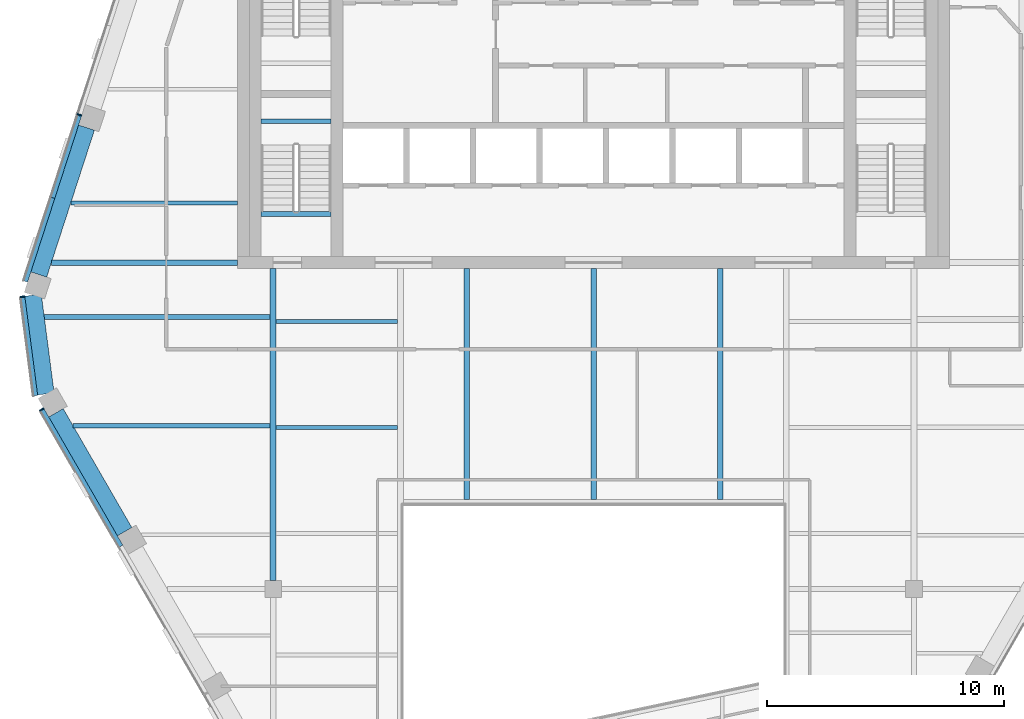
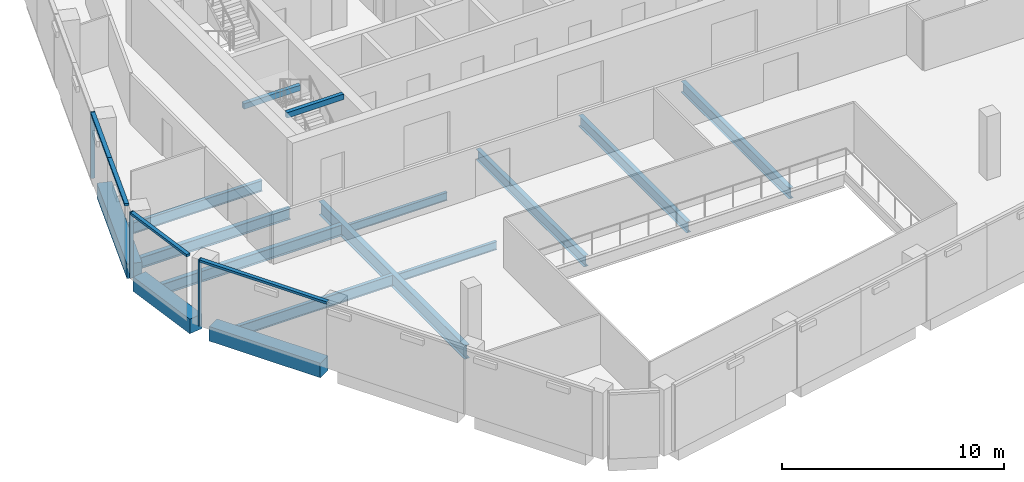
# One storey, part 3 of 15: 15 beams, 7 members, 3 elements without a shape of their own.
"""IFC4 building model written with IfcOpenShell, lengths in metres."""

from ifc_helpers import new_model, si_unit, direction, frame, origin, origin_2d, place, context, subcontext, project, spatial, rectangle, i_section, extrude, material, layer, layer_set, material_profile, profile_set, type_object, element, aggregate, save


model = new_model("IFC4")

# Units and contexts
model_context = context("Model", 3, precision=1e-05, world=origin(), true_north=direction((0.0, 1.0)))
body_context = subcontext(model_context, "Body", "Model", "MODEL_VIEW")
ifc_project = project(units=[si_unit("LENGTHUNIT", "METRE"), si_unit("AREAUNIT", "SQUARE_METRE"), si_unit("VOLUMEUNIT", "CUBIC_METRE"), si_unit("PLANEANGLEUNIT", "RADIAN"), si_unit("MASSUNIT", "GRAM", prefix="KILO")], contexts=[model_context])

# Site, building, storey
site_placement = place(None, origin())
site = spatial("IfcSite", under=ifc_project, at=site_placement, CompositionType="ELEMENT")
building_placement = place(site_placement, origin())
building = spatial("IfcBuilding", under=site, at=building_placement, Name="Isthmus Gate Tower", CompositionType="ELEMENT")
storey_placement = place(building_placement, frame((0.0, 0.0, 290.14990234375)))
storey = spatial("IfcBuildingStorey", under=building, at=storey_placement, Name="L74", CompositionType="ELEMENT", Elevation=290.14990234375)

# Curtain wall, member
ifc_material_1 = material(Name="Aluminium, pale champagne anodised", Category="aluminium")
ifc_layer = layer(ifc_material_1, 0.199951171875)
ifc_layer_set = layer_set([ifc_layer], Name="CW-1 UNITISED CURTAIN WALL 200 DEEP")
curtain_wall_type = type_object("IfcCurtainWallType", Name="CW-1 UNITISED CURTAIN WALL 200 DEEP", PredefinedType="NOTDEFINED", material=ifc_layer_set)
curtain_wall_1_placement = place(storey_placement, origin())
curtain_wall_1 = element("IfcCurtainWall", 1, at=curtain_wall_1_placement, inside=storey, type_object=curtain_wall_type, Name="CW-1 NW L74", PredefinedType="NOTDEFINED")
ifc_material_2 = material(Name="Aluminium, pale champagne anodised", Category="aluminium")
ifc_material_profile_1 = material_profile(ifc_material_2, rectangle(XDim=0.06005859375, YDim=0.199951171875, at=origin_2d()), Name="60x200")
ifc_profile_set_1 = profile_set([ifc_material_profile_1], Name="Aluminium, pale champagne anodised")
member_type_1 = type_object("IfcMemberType", Name="CW-1 MULLION 60 X 200", PredefinedType="MULLION", material=ifc_profile_set_1)
member_1_placement = place(storey_placement, frame((-21.6572265625, 6.47265625, 0.0), z_axis=(0.0, 0.0, 1.0), x_axis=(-0.309016994375, -0.951056516295, 0.0)))
member_1 = element("IfcMember", 2, at=member_1_placement, type_object=member_type_1, Name="CW-1 mullion", PredefinedType="MULLION", context=body_context, shape_type="SweptSolid", body=[
    extrude(rectangle(XDim=0.06005859375, YDim=0.199951171875, at=origin_2d()), origin(), (0.0, 0.0, 1.0), 3.650146484375),
])

curtain_wall_2_placement = place(storey_placement, origin())
curtain_wall_2 = element("IfcCurtainWall", 3, at=curtain_wall_2_placement, inside=storey, type_object=curtain_wall_type, Name="CW-1 NW-SW L74", PredefinedType="NOTDEFINED")
member_2_placement = place(storey_placement, frame((-24.0576171875, -1.18603515625, 0.0), z_axis=(0.0, 0.0, 1.0), x_axis=(0.129164534, -0.991623175988, 0.0)))
member_2 = element("IfcMember", 4, at=member_2_placement, type_object=member_type_1, Name="CW-1 mullion", PredefinedType="MULLION", context=body_context, shape_type="SweptSolid", body=[
    extrude(rectangle(XDim=0.06005859375, YDim=0.199951171875, at=origin_2d()), origin(), (0.0, 0.0, 1.0), 3.650146484375),
])

curtain_wall_3_placement = place(storey_placement, origin())
curtain_wall_3 = element("IfcCurtainWall", 5, at=curtain_wall_3_placement, inside=storey, type_object=curtain_wall_type, Name="CW-1 SW L74", PredefinedType="NOTDEFINED")
member_3_placement = place(storey_placement, frame((-23.244873046875, -5.938720703125, 0.0), z_axis=(0.0, 0.0, 1.0), x_axis=(0.5, -0.866025403784, 0.0)))
member_3 = element("IfcMember", 6, at=member_3_placement, type_object=member_type_1, Name="CW-1 mullion", PredefinedType="MULLION", context=body_context, shape_type="SweptSolid", body=[
    extrude(rectangle(XDim=0.06005859375, YDim=0.199951171875, at=origin_2d()), origin(), (0.0, 0.0, 1.0), 3.650146484375),
])

# Member
ifc_material_3 = material(Name="Aluminium, pale champagne anodised", Category="aluminium")
ifc_material_profile_2 = material_profile(ifc_material_3, rectangle(XDim=0.199951171875, YDim=0.1298828125, at=origin_2d()), Name="200x130")
ifc_profile_set_2 = profile_set([ifc_material_profile_2], Name="Aluminium, pale champagne anodised")
member_type_2 = type_object("IfcMemberType", Name="CW-1 TRANSOM 200 X 130", PredefinedType="USERDEFINED", material=ifc_profile_set_2)
member_4_placement = place(storey_placement, frame((-21.66650390625, 6.4443359375, 3.585205078125), z_axis=(-0.30898152177, -0.951068041312, 0.0), x_axis=(0.951068041312, -0.30898152177, 0.0)))
member_4 = element("IfcMember", 7, at=member_4_placement, type_object=member_type_2, Name="CW-1 transom", ObjectType="TRANSOM", PredefinedType="USERDEFINED", context=body_context, shape_type="SweptSolid", body=[
    extrude(rectangle(XDim=0.199951171875, YDim=0.1298828125, at=origin_2d()), origin(), (0.0, 0.0, 1.0), 3.643310546875),
])

member_5_placement = place(storey_placement, frame((-22.792236328125, 2.979248046875, 3.585205078125), z_axis=(-0.309039863592, -0.951049085332, 0.0), x_axis=(0.951049085332, -0.309039863592, 0.0)))
member_5 = element("IfcMember", 8, at=member_5_placement, type_object=member_type_2, Name="CW-1 transom", ObjectType="TRANSOM", PredefinedType="USERDEFINED", context=body_context, shape_type="SweptSolid", body=[
    extrude(rectangle(XDim=0.199951171875, YDim=0.1298828125, at=origin_2d()), origin(), (0.0, 0.0, 1.0), 3.70361328125),
])

aggregate(curtain_wall_1, [member_1, member_4, member_5])

member_6_placement = place(storey_placement, frame((-24.0537109375, -1.215576171875, 3.585205078125), z_axis=(0.129149481977, -0.991625136483, 0.0), x_axis=(0.991625136483, 0.129149481977, 0.0)))
member_6 = element("IfcMember", 9, at=member_6_placement, type_object=member_type_2, Name="CW-1 transom", ObjectType="TRANSOM", PredefinedType="USERDEFINED", context=body_context, shape_type="SweptSolid", body=[
    extrude(rectangle(XDim=0.199951171875, YDim=0.1298828125, at=origin_2d()), origin(), (0.0, 0.0, 1.0), 4.181396484375),
])

aggregate(curtain_wall_2, [member_2, member_6])

member_7_placement = place(storey_placement, frame((-23.22998046875, -5.964599609375, 3.585205078125), z_axis=(0.49999574405, -0.866027860944, 0.0), x_axis=(0.866027860944, 0.49999574405, 0.0)))
member_7 = element("IfcMember", 10, at=member_7_placement, type_object=member_type_2, Name="CW-1 transom", ObjectType="TRANSOM", PredefinedType="USERDEFINED", context=body_context, shape_type="SweptSolid", body=[
    extrude(rectangle(XDim=0.199951171875, YDim=0.1298828125, at=origin_2d()), origin(), (0.0, 0.0, 1.0), 6.62451171875),
])

aggregate(curtain_wall_3, [member_3, member_7])

# Beams
ifc_material_4 = material(Name="Concrete f'c 50 MPa", Category="concrete")
ifc_material_profile_3 = material_profile(ifc_material_4, rectangle(XDim=0.699951171875, YDim=0.800048828125, at=origin_2d()), Name="RC 700X800")
ifc_profile_set_3 = profile_set([ifc_material_profile_3], Name="Concrete f'c 50 MPa")
beam_type_1 = type_object("IfcBeamType", Name="RC SPANDREL 700 X 800", PredefinedType="SPANDREL", material=ifc_profile_set_3)
beam_1_placement = place(storey_placement, frame((-19.7529296875, -11.0869140625, -0.39990234375), z_axis=(-0.500011073467, 0.866019010421, 0.0), x_axis=(-0.866019010421, -0.500011073467, 0.0)))
element("IfcBeam", 11, at=beam_1_placement, inside=storey, type_object=beam_type_1, Name="str-spandrel-L74-15", PredefinedType="SPANDREL", context=body_context, shape_type="SweptSolid", body=[
    extrude(rectangle(XDim=0.699951171875, YDim=0.800048828125, at=origin_2d()), origin(), (0.0, 0.0, 1.0), 5.784423828125),
])
beam_2_placement = place(storey_placement, frame((-23.070068359375, -5.283447265625, -0.39990234375), z_axis=(-0.129137748309, 0.991626664608, 0.0), x_axis=(-0.991626664608, -0.129137748309, 0.0)))
element("IfcBeam", 12, at=beam_2_placement, inside=storey, type_object=beam_type_1, Name="str-spandrel-L74-16", PredefinedType="SPANDREL", context=body_context, shape_type="SweptSolid", body=[
    extrude(rectangle(XDim=0.699951171875, YDim=0.800048828125, at=origin_2d()), origin(), (0.0, 0.0, 1.0), 4.197021484375),
])
beam_3_placement = place(storey_placement, frame((-23.36962890625, -0.254150390625, -0.39990234375), z_axis=(0.30901480678, 0.951057227085, 0.0), x_axis=(-0.951057227085, 0.30901480678, 0.0)))
element("IfcBeam", 13, at=beam_3_placement, inside=storey, type_object=beam_type_1, Name="str-spandrel-L74-17", PredefinedType="SPANDREL", context=body_context, shape_type="SweptSolid", body=[
    extrude(rectangle(XDim=0.699951171875, YDim=0.800048828125, at=origin_2d()), origin(), (0.0, 0.0, 1.0), 6.5068359375),
])
ifc_material_5 = material(Name="Concrete f'c 40 MPa", Category="concrete")
ifc_material_profile_4 = material_profile(ifc_material_5, rectangle(XDim=0.199951171875, YDim=0.300048828125, at=origin_2d()), Name="STAIR LANDING BEAM RC 200 X 300")
ifc_profile_set_4 = profile_set([ifc_material_profile_4], Name="Concrete f'c 40 MPa")
beam_type_2 = type_object("IfcBeamType", Name="STAIR LANDING BEAM RC 200 X 300", PredefinedType="BEAM", material=ifc_profile_set_4)
for number, where, z_axis, x_axis, name in (
    (14, (-14.0, 6.199951171875, 1.47509765625), (1.0, 0.0, 0.0), (0.0, 1.0, 0.0), "L74 ST7 landing beam 1"),
    (15, (-14.0, 2.2998046875, 3.35009765625), (1.0, 0.0, 0.0), (0.0, 1.0, 0.0), "L74 ST7 floor-edge seat beam"),
):
    element("IfcBeam", number, at=place(storey_placement, frame(where, z_axis=z_axis, x_axis=x_axis)), inside=storey, type_object=beam_type_2, Name=name, PredefinedType="BEAM", context=body_context, shape_type="SweptSolid", body=[
        extrude(rectangle(XDim=0.199951171875, YDim=0.300048828125, at=origin_2d()), origin(), (0.0, 0.0, 1.0), 2.949951171875),
    ])
ifc_material_6 = material(Name="Structural steel ASTM A992 Gr 50", Category="steel")
ifc_material_profile_5 = material_profile(ifc_material_6, i_section(OverallWidth=0.15234375, OverallDepth=0.45068359375, WebThickness=0.0078125, FlangeThickness=0.010986328125, at=origin_2d()), Name="W18X35")
ifc_profile_set_5 = profile_set([ifc_material_profile_5], Name="Structural steel ASTM A992 Gr 50")
beam_type_3 = type_object("IfcBeamType", Name="STEEL FLOOR BEAM W18X35", PredefinedType="JOIST", material=ifc_profile_set_5)
for number, where, z_axis, x_axis, name in (
    (16, (-13.3681640625, -6.697509765625, -0.375244140625), (1.0, 0.0, 0.0), (0.0, 1.0, 0.0), "str-beam-L74-03-01"),
    (17, (-13.3681640625, -2.232421875, -0.375244140625), (1.0, 0.0, 0.0), (0.0, 1.0, 0.0), "str-beam-L74-03-02"),
):
    element("IfcBeam", number, at=place(storey_placement, frame(where, z_axis=z_axis, x_axis=x_axis)), inside=storey, type_object=beam_type_3, Name=name, PredefinedType="JOIST", context=body_context, shape_type="SweptSolid", body=[
        extrude(i_section(OverallWidth=0.15234375, OverallDepth=0.45068359375, WebThickness=0.0078125, FlangeThickness=0.010986328125, at=origin_2d()), origin(), (0.0, 0.0, 1.0), 5.1142578125),
    ])
ifc_material_7 = material(Name="Structural steel ASTM A992 Gr 50", Category="steel")
ifc_material_profile_6 = material_profile(ifc_material_7, i_section(OverallWidth=0.177734375, OverallDepth=0.60009765625, WebThickness=0.009521484375, FlangeThickness=0.0126953125, at=origin_2d()), Name="W24X55")
ifc_profile_set_6 = profile_set([ifc_material_profile_6], Name="Structural steel ASTM A992 Gr 50")
beam_type_4 = type_object("IfcBeamType", Name="STEEL FLOOR BEAM W24X55", PredefinedType="JOIST", material=ifc_profile_set_6)
beam_4_placement = place(storey_placement, frame((-22.021728515625, 2.761962890625, -0.449951171875), z_axis=(1.0, 0.0, 0.0), x_axis=(0.0, 1.0, 0.0)))
element("IfcBeam", 18, at=beam_4_placement, inside=storey, type_object=beam_type_4, Name="str-beam-L74-00-00", PredefinedType="JOIST", context=body_context, shape_type="SweptSolid", body=[
    extrude(i_section(OverallWidth=0.177734375, OverallDepth=0.60009765625, WebThickness=0.009521484375, FlangeThickness=0.0126953125, at=origin_2d()), origin(), (0.0, 0.0, 1.0), 7.021728515625),
])
beam_5_placement = place(storey_placement, frame((-21.9248046875, -6.625, -0.449951171875), z_axis=(1.0, 0.0, 0.0), x_axis=(0.0, 1.0, 0.0)))
element("IfcBeam", 19, at=beam_5_placement, inside=storey, type_object=beam_type_4, Name="str-beam-L74-01-01", PredefinedType="JOIST", context=body_context, shape_type="SweptSolid", body=[
    extrude(i_section(OverallWidth=0.177734375, OverallDepth=0.60009765625, WebThickness=0.009521484375, FlangeThickness=0.0126953125, at=origin_2d()), origin(), (0.0, 0.0, 1.0), 8.29296875),
])
ifc_material_8 = material(Name="Structural steel ASTM A992 Gr 50", Category="steel")
ifc_material_profile_7 = material_profile(ifc_material_8, i_section(OverallWidth=0.228515625, OverallDepth=0.603271484375, WebThickness=0.010986328125, FlangeThickness=0.014404296875, at=origin_2d()), Name="W24X68")
ifc_profile_set_7 = profile_set([ifc_material_profile_7], Name="Structural steel ASTM A992 Gr 50")
beam_type_5 = type_object("IfcBeamType", Name="STEEL FLOOR BEAM W24X68", PredefinedType="JOIST", material=ifc_profile_set_7)
beam_6_placement = place(storey_placement, frame((-23.139404296875, -2.041748046875, -0.451416015625), z_axis=(1.0, 0.0, 0.0), x_axis=(0.0, 1.0, 0.0)))
element("IfcBeam", 20, at=beam_6_placement, inside=storey, type_object=beam_type_5, Name="str-beam-L74-01-02", PredefinedType="JOIST", context=body_context, shape_type="SweptSolid", body=[
    extrude(i_section(OverallWidth=0.228515625, OverallDepth=0.603271484375, WebThickness=0.010986328125, FlangeThickness=0.014404296875, at=origin_2d()), origin(), (0.0, 0.0, 1.0), 9.507568359375),
])
for number, where, z_axis, x_axis, name in (
    (21, (-5.333251953125, -9.7333984375, -0.451416015625), (0.0, 1.0, 0.0), (-1.0, 0.0, 0.0), "str-beam-L74-06-00"),
    (22, (0.0, -9.7333984375, -0.451416015625), (0.0, 1.0, 0.0), (-1.0, 0.0, 0.0), "str-beam-L74-06-01"),
    (23, (5.333251953125, -9.7333984375, -0.451416015625), (0.0, 1.0, 0.0), (-1.0, 0.0, 0.0), "str-beam-L74-06-02"),
):
    element("IfcBeam", number, at=place(storey_placement, frame(where, z_axis=z_axis, x_axis=x_axis)), inside=storey, type_object=beam_type_5, Name=name, PredefinedType="JOIST", context=body_context, shape_type="SweptSolid", body=[
        extrude(i_section(OverallWidth=0.228515625, OverallDepth=0.603271484375, WebThickness=0.010986328125, FlangeThickness=0.014404296875, at=origin_2d()), origin(), (0.0, 0.0, 1.0), 9.7333984375),
    ])
ifc_material_9 = material(Name="Structural steel ASTM A992 Gr 50", Category="steel")
ifc_material_profile_8 = material_profile(ifc_material_9, i_section(OverallWidth=0.228515625, OverallDepth=0.603271484375, WebThickness=0.010986328125, FlangeThickness=0.014404296875, at=origin_2d()), Name="W24X68")
ifc_profile_set_8 = profile_set([ifc_material_profile_8], Name="Structural steel ASTM A992 Gr 50")
beam_type_6 = type_object("IfcBeamType", Name="STEEL GIRDER W24X68", PredefinedType="BEAM", material=ifc_profile_set_8)
beam_7_placement = place(storey_placement, frame((-15.0, 0.25, -0.451416015625), z_axis=(-1.0, 0.0, 0.0), x_axis=(0.0, -1.0, 0.0)))
element("IfcBeam", 24, at=beam_7_placement, inside=storey, type_object=beam_type_6, Name="str-girder-L74-09", PredefinedType="BEAM", context=body_context, shape_type="SweptSolid", body=[
    extrude(i_section(OverallWidth=0.228515625, OverallDepth=0.603271484375, WebThickness=0.010986328125, FlangeThickness=0.014404296875, at=origin_2d()), origin(), (0.0, 0.0, 1.0), 7.837890625),
])
ifc_material_10 = material(Name="Structural steel ASTM A992 Gr 50", Category="steel")
ifc_material_profile_9 = material_profile(ifc_material_10, i_section(OverallWidth=0.263427734375, OverallDepth=0.749267578125, WebThickness=0.0126953125, FlangeThickness=0.015869140625, at=origin_2d()), Name="W30X90")
ifc_profile_set_9 = profile_set([ifc_material_profile_9], Name="Structural steel ASTM A992 Gr 50")
beam_type_7 = type_object("IfcBeamType", Name="STEEL GIRDER W30X90", PredefinedType="BEAM", material=ifc_profile_set_9)
beam_8_placement = place(storey_placement, frame((-13.5, -13.14990234375, -0.524658203125), z_axis=(0.0, 1.0, 0.0), x_axis=(-1.0, 0.0, 0.0)))
element("IfcBeam", 25, at=beam_8_placement, inside=storey, type_object=beam_type_7, Name="str-girder-L74-06", PredefinedType="BEAM", context=body_context, shape_type="SweptSolid", body=[
    extrude(i_section(OverallWidth=0.263427734375, OverallDepth=0.749267578125, WebThickness=0.0126953125, FlangeThickness=0.015869140625, at=origin_2d()), origin(), (0.0, 0.0, 1.0), 13.14990234375),
])

save(model, "model.ifc")
